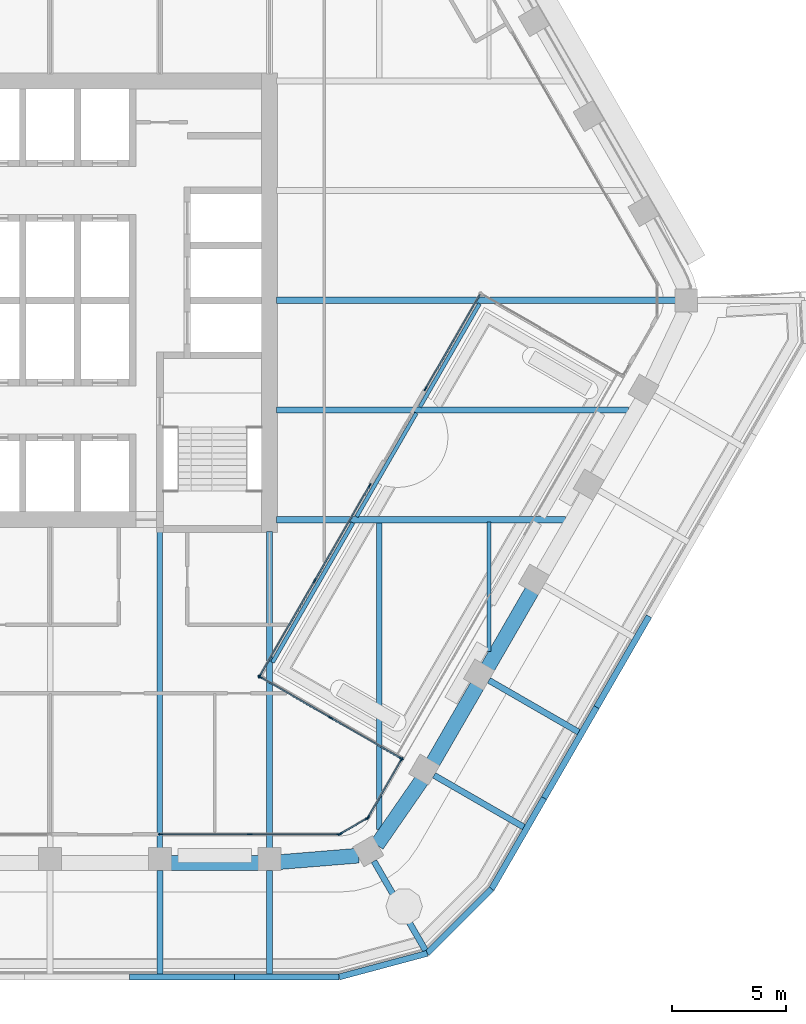
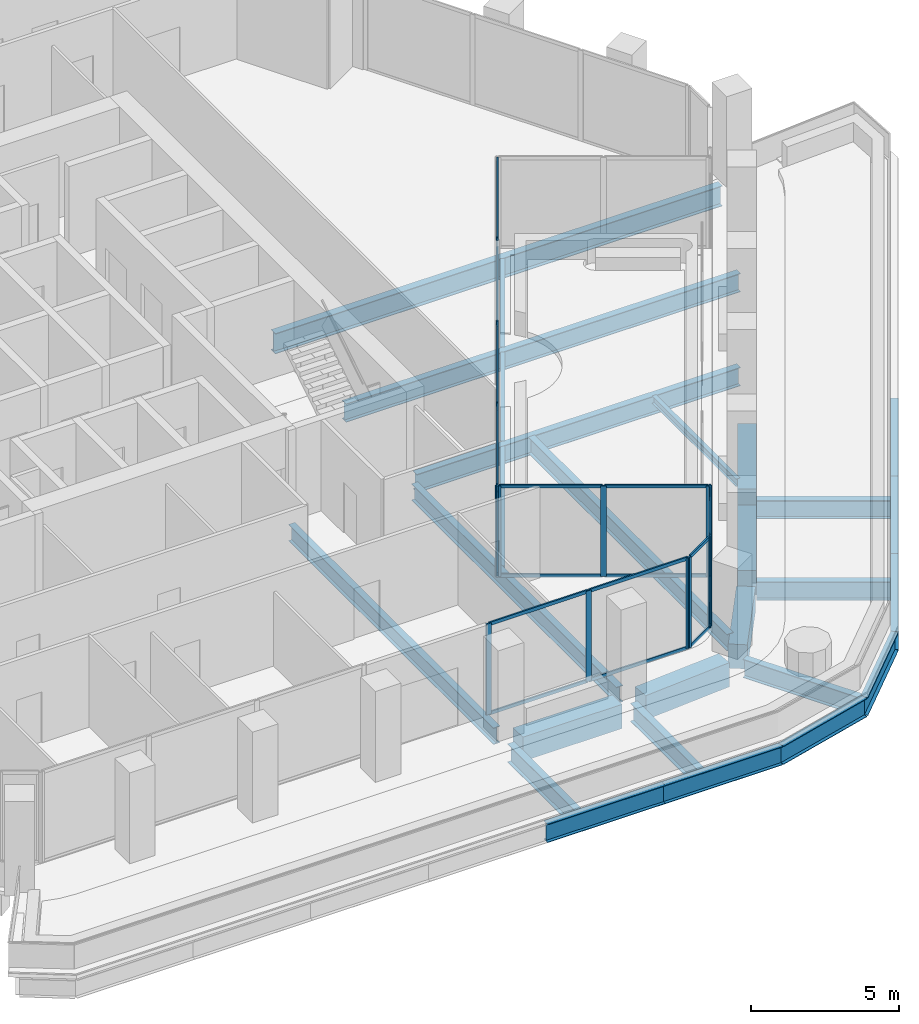
# One storey, part 4 of 17: 32 members, 27 beams, 6 elements without a shape of their own.
"""IFC4 building model written with IfcOpenShell, lengths in metres."""

from ifc_helpers import new_model, si_unit, direction, frame, origin, origin_2d, place, context, subcontext, project, spatial, rectangle, i_section, extrude, material, material_profile, profile_set, type_object, element, aggregate, save


model = new_model("IFC4")

# Units and contexts
model_context = context("Model", 3, precision=1e-05, world=origin(), true_north=direction((0.0, 1.0)))
body_context = subcontext(model_context, "Body", "Model", "MODEL_VIEW")
ifc_project = project(units=[si_unit("LENGTHUNIT", "METRE"), si_unit("AREAUNIT", "SQUARE_METRE"), si_unit("VOLUMEUNIT", "CUBIC_METRE"), si_unit("PLANEANGLEUNIT", "RADIAN"), si_unit("MASSUNIT", "GRAM", prefix="KILO")], contexts=[model_context])

# Site, building, storey
site_placement = place(None, origin())
site = spatial("IfcSite", under=ifc_project, at=site_placement, CompositionType="ELEMENT")
building_placement = place(site_placement, origin())
building = spatial("IfcBuilding", under=site, at=building_placement, Name="Kolab Exchange Tower", CompositionType="ELEMENT")
storey_placement = place(building_placement, frame((0.0, 0.0, 197.300048828125)))
storey = spatial("IfcBuildingStorey", under=building, at=storey_placement, Name="L42", CompositionType="ELEMENT", Elevation=197.300048828125)

# Beams
ifc_material_1 = material(Name="Steel S355", Category="steel")
ifc_material_profile_1 = material_profile(ifc_material_1, i_section(OverallWidth=0.1650390625, OverallDepth=0.31005859375, WebThickness=0.005859375, FlangeThickness=0.009765625, at=origin_2d()), Name="W310X39")
ifc_profile_set_1 = profile_set([ifc_material_profile_1], Name="Steel S355")
beam_type_1 = type_object("IfcBeamType", Name="FLOOR BEAM W310X39", PredefinedType="BEAM", material=ifc_profile_set_1)
beam_1_placement = place(storey_placement, frame((13.409912109375, -9.466552734375, -0.304931640625), z_axis=(0.500011808253, 0.866018586179, 0.0), x_axis=(-0.866018586179, 0.500011808253, 0.0)))
element("IfcBeam", 1, at=beam_1_placement, inside=storey, type_object=beam_type_1, Name="beam/L42/fr/023", PredefinedType="BEAM", context=body_context, shape_type="SweptSolid", body=[
    extrude(i_section(OverallWidth=0.1650390625, OverallDepth=0.31005859375, WebThickness=0.005859375, FlangeThickness=0.009765625, at=origin_2d()), origin(), (0.0, 0.0, 1.0), 5.234130859375),
])
beam_2_placement = place(storey_placement, frame((16.18115234375, -4.66650390625, -0.304931640625), z_axis=(0.499992367345, 0.866029810455, 0.0), x_axis=(-0.866029810455, 0.499992367345, 0.0)))
element("IfcBeam", 2, at=beam_2_placement, inside=storey, type_object=beam_type_1, Name="beam/L42/fr/024", PredefinedType="BEAM", context=body_context, shape_type="SweptSolid", body=[
    extrude(i_section(OverallWidth=0.1650390625, OverallDepth=0.31005859375, WebThickness=0.005859375, FlangeThickness=0.009765625, at=origin_2d()), origin(), (0.0, 0.0, 1.0), 5.2197265625),
])
beam_3_placement = place(storey_placement, frame((19.199951171875, -15.36767578125, -0.304931640625), z_axis=(0.0, 1.0, 0.0), x_axis=(-1.0, 0.0, 0.0)))
element("IfcBeam", 3, at=beam_3_placement, inside=storey, type_object=beam_type_1, Name="beam/L42/fr/025", PredefinedType="BEAM", context=body_context, shape_type="SweptSolid", body=[
    extrude(i_section(OverallWidth=0.1650390625, OverallDepth=0.31005859375, WebThickness=0.005859375, FlangeThickness=0.009765625, at=origin_2d()), origin(), (0.0, 0.0, 1.0), 5.674072265625),
])
ifc_material_profile_2 = material_profile(ifc_material_1, i_section(OverallWidth=0.1708984375, OverallDepth=0.35498046875, WebThickness=0.007080078125, FlangeThickness=0.01171875, at=origin_2d()), Name="W360X51")
ifc_profile_set_2 = profile_set([ifc_material_profile_2], Name="Steel S355")
beam_type_2 = type_object("IfcBeamType", Name="FLOOR BEAM W360X51", PredefinedType="BEAM", material=ifc_profile_set_2)
beam_4_placement = place(storey_placement, frame((9.72705078125, -15.845458984375, -0.32763671875), z_axis=(0.499974989216, 0.866039843286, 0.0), x_axis=(-0.866039843286, 0.499974989216, 0.0)))
element("IfcBeam", 4, at=beam_4_placement, inside=storey, type_object=beam_type_2, Name="beam/L42/fr/020", PredefinedType="BEAM", context=body_context, shape_type="SweptSolid", body=[
    extrude(i_section(OverallWidth=0.1708984375, OverallDepth=0.35498046875, WebThickness=0.007080078125, FlangeThickness=0.01171875, at=origin_2d()), origin(), (0.0, 0.0, 1.0), 7.057373046875),
])
ifc_material_profile_3 = material_profile(ifc_material_1, i_section(OverallWidth=0.25390625, OverallDepth=0.68408203125, WebThickness=0.012451171875, FlangeThickness=0.018798828125, at=origin_2d()), Name="W690X140")
ifc_profile_set_3 = profile_set([ifc_material_profile_3], Name="Steel S355")
beam_type_3 = type_object("IfcBeamType", Name="FLOOR BEAM W690X140", PredefinedType="BEAM", material=ifc_profile_set_3)
for number, where, z_axis, x_axis, name in (
    (5, (4.800048828125, -23.9814453125, -0.491943359375), (0.0, 1.0, 0.0), (-1.0, 0.0, 0.0), "beam/L42/fr/013"),
    (6, (9.60009765625, -23.9814453125, -0.491943359375), (0.0, 1.0, 0.0), (-1.0, 0.0, 0.0), "beam/L42/fr/015"),
):
    element("IfcBeam", number, at=place(storey_placement, frame(where, z_axis=z_axis, x_axis=x_axis)), inside=storey, type_object=beam_type_3, Name=name, PredefinedType="BEAM", context=body_context, shape_type="SweptSolid", body=[
        extrude(i_section(OverallWidth=0.25390625, OverallDepth=0.68408203125, WebThickness=0.012451171875, FlangeThickness=0.018798828125, at=origin_2d()), origin(), (0.0, 0.0, 1.0), 13.871337890625),
    ])
beam_5_placement = place(storey_placement, frame((14.39990234375, -23.15576171875, -0.491943359375), z_axis=(0.0, 1.0, 0.0), x_axis=(-1.0, 0.0, 0.0)))
element("IfcBeam", 7, at=beam_5_placement, inside=storey, type_object=beam_type_3, Name="beam/L42/fr/021", PredefinedType="BEAM", context=body_context, shape_type="SweptSolid", body=[
    extrude(i_section(OverallWidth=0.25390625, OverallDepth=0.68408203125, WebThickness=0.012451171875, FlangeThickness=0.018798828125, at=origin_2d()), origin(), (0.0, 0.0, 1.0), 13.462158203125),
])
ifc_material_profile_4 = material_profile(ifc_material_1, i_section(OverallWidth=0.26708984375, OverallDepth=0.761962890625, WebThickness=0.014404296875, FlangeThickness=0.021484375, at=origin_2d()), Name="W760X173")
ifc_profile_set_4 = profile_set([ifc_material_profile_4], Name="Steel S355")
beam_type_4 = type_object("IfcBeamType", Name="FLOOR BEAM W760X173", PredefinedType="BEAM", material=ifc_profile_set_4)
beam_6_placement = place(storey_placement, frame((9.909912109375, -4.800048828125, -0.531005859375), z_axis=(1.0, 0.0, 0.0), x_axis=(0.0, 1.0, 0.0)))
element("IfcBeam", 8, at=beam_6_placement, inside=storey, type_object=beam_type_4, Name="beam/L42/fr/017", PredefinedType="BEAM", context=body_context, shape_type="SweptSolid", body=[
    extrude(i_section(OverallWidth=0.26708984375, OverallDepth=0.761962890625, WebThickness=0.014404296875, FlangeThickness=0.021484375, at=origin_2d()), origin(), (0.0, 0.0, 1.0), 15.408203125),
])
ifc_material_profile_5 = material_profile(ifc_material_1, i_section(OverallWidth=0.2919921875, OverallDepth=0.840087890625, WebThickness=0.0146484375, FlangeThickness=0.021728515625, at=origin_2d()), Name="W840X193")
ifc_profile_set_5 = profile_set([ifc_material_profile_5], Name="Steel S355")
beam_type_5 = type_object("IfcBeamType", Name="FLOOR BEAM W840X193", PredefinedType="BEAM", material=ifc_profile_set_5)
beam_7_placement = place(storey_placement, frame((9.909912109375, 0.0, -0.570068359375), z_axis=(1.0, 0.0, 0.0), x_axis=(0.0, 1.0, 0.0)))
element("IfcBeam", 9, at=beam_7_placement, inside=storey, type_object=beam_type_5, Name="beam/L42/fr/018", PredefinedType="BEAM", context=body_context, shape_type="SweptSolid", body=[
    extrude(i_section(OverallWidth=0.2919921875, OverallDepth=0.840087890625, WebThickness=0.0146484375, FlangeThickness=0.021728515625, at=origin_2d()), origin(), (0.0, 0.0, 1.0), 17.466064453125),
])
ifc_material_profile_6 = material_profile(ifc_material_1, i_section(OverallWidth=0.26708984375, OverallDepth=0.761962890625, WebThickness=0.014404296875, FlangeThickness=0.021484375, at=origin_2d()), Name="W760X173")
ifc_profile_set_6 = profile_set([ifc_material_profile_6], Name="Steel S355")
beam_type_6 = type_object("IfcBeamType", Name="FLOOR GIRDER W760X173", PredefinedType="BEAM", material=ifc_profile_set_6)
beam_8_placement = place(storey_placement, frame((9.909912109375, -9.60009765625, -0.531005859375), z_axis=(1.0, 0.0, 0.0), x_axis=(0.0, 1.0, 0.0)))
element("IfcBeam", 10, at=beam_8_placement, inside=storey, type_object=beam_type_6, Name="beam/L42/gd/002", PredefinedType="BEAM", context=body_context, shape_type="SweptSolid", body=[
    extrude(i_section(OverallWidth=0.26708984375, OverallDepth=0.761962890625, WebThickness=0.014404296875, FlangeThickness=0.021484375, at=origin_2d()), origin(), (0.0, 0.0, 1.0), 12.636962890625),
])
beam_9_placement = place(storey_placement, frame((19.199951171875, -16.627685546875, -0.591064453125), z_axis=(0.866020560687, -0.500008388397, 0.0), x_axis=(0.500008388397, 0.866020560687, 0.0)))
element("IfcBeam", 11, at=beam_9_placement, inside=storey, type_object=beam_type_6, Name="beam/L42/ledge/rib-04", PredefinedType="BEAM", context=body_context, shape_type="SweptSolid", body=[
    extrude(i_section(OverallWidth=0.26708984375, OverallDepth=0.761962890625, WebThickness=0.014404296875, FlangeThickness=0.021484375, at=origin_2d()), origin(), (0.0, 0.0, 1.0), 4.533203125),
])
beam_10_placement = place(storey_placement, frame((16.800048828125, -20.78466796875, -0.591064453125), z_axis=(0.866030417568, -0.499991315771, 0.0), x_axis=(0.499991315771, 0.866030417568, 0.0)))
element("IfcBeam", 12, at=beam_10_placement, inside=storey, type_object=beam_type_6, Name="beam/L42/ledge/rib-05", PredefinedType="BEAM", context=body_context, shape_type="SweptSolid", body=[
    extrude(i_section(OverallWidth=0.26708984375, OverallDepth=0.761962890625, WebThickness=0.014404296875, FlangeThickness=0.021484375, at=origin_2d()), origin(), (0.0, 0.0, 1.0), 4.53271484375),
])
beam_11_placement = place(storey_placement, frame((14.16796875, -24.53955078125, -0.591064453125), z_axis=(0.499967994467, -0.866043881399, 0.0), x_axis=(0.866043881399, 0.499967994467, 0.0)))
element("IfcBeam", 13, at=beam_11_placement, inside=storey, type_object=beam_type_6, Name="beam/L42/ledge/rib-06", PredefinedType="BEAM", context=body_context, shape_type="SweptSolid", body=[
    extrude(i_section(OverallWidth=0.26708984375, OverallDepth=0.761962890625, WebThickness=0.014404296875, FlangeThickness=0.021484375, at=origin_2d()), origin(), (0.0, 0.0, 1.0), 4.532958984375),
])
for number, where, z_axis, x_axis, name in (
    (14, (9.60009765625, -24.94140625, -0.591064453125), (0.0, -1.0, 0.0), (1.0, 0.0, 0.0), "beam/L42/ledge/rib-07"),
    (15, (4.800048828125, -24.94140625, -0.591064453125), (0.0, -1.0, 0.0), (1.0, 0.0, 0.0), "beam/L42/ledge/rib-08"),
):
    element("IfcBeam", number, at=place(storey_placement, frame(where, z_axis=z_axis, x_axis=x_axis)), inside=storey, type_object=beam_type_6, Name=name, PredefinedType="BEAM", context=body_context, shape_type="SweptSolid", body=[
        extrude(i_section(OverallWidth=0.26708984375, OverallDepth=0.761962890625, WebThickness=0.014404296875, FlangeThickness=0.021484375, at=origin_2d()), origin(), (0.0, 0.0, 1.0), 4.533203125),
    ])
beam_12_placement = place(storey_placement, frame((26.20654296875, -13.82470703125, -0.591064453125), z_axis=(-0.499963222339, -0.866046636336, 0.0), x_axis=(0.866046636336, -0.499963222339, 0.0)))
element("IfcBeam", 16, at=beam_12_placement, inside=storey, type_object=beam_type_6, Name="beam/L42/ledge/edge-04", PredefinedType="BEAM", context=body_context, shape_type="SweptSolid", body=[
    extrude(i_section(OverallWidth=0.26708984375, OverallDepth=0.761962890625, WebThickness=0.014404296875, FlangeThickness=0.021484375, at=origin_2d()), origin(), (0.0, 0.0, 1.0), 4.593505859375),
])
beam_13_placement = place(storey_placement, frame((23.909912109375, -17.802978515625, -0.591064453125), z_axis=(-0.50004294189, -0.866000609853, 0.0), x_axis=(0.866000609853, -0.50004294189, 0.0)))
element("IfcBeam", 17, at=beam_13_placement, inside=storey, type_object=beam_type_6, Name="beam/L42/ledge/edge-05", PredefinedType="BEAM", context=body_context, shape_type="SweptSolid", body=[
    extrude(i_section(OverallWidth=0.26708984375, OverallDepth=0.761962890625, WebThickness=0.014404296875, FlangeThickness=0.021484375, at=origin_2d()), origin(), (0.0, 0.0, 1.0), 4.59375),
])
beam_14_placement = place(storey_placement, frame((21.61279296875, -21.78125, -0.591064453125), z_axis=(-0.499963222339, -0.866046636336, 0.0), x_axis=(0.866046636336, -0.499963222339, 0.0)))
element("IfcBeam", 18, at=beam_14_placement, inside=storey, type_object=beam_type_6, Name="beam/L42/ledge/edge-06", PredefinedType="BEAM", context=body_context, shape_type="SweptSolid", body=[
    extrude(i_section(OverallWidth=0.26708984375, OverallDepth=0.761962890625, WebThickness=0.014404296875, FlangeThickness=0.021484375, at=origin_2d()), origin(), (0.0, 0.0, 1.0), 4.593505859375),
])
beam_15_placement = place(storey_placement, frame((19.316162109375, -25.759521484375, -0.591064453125), z_axis=(-0.707106781187, -0.707106781187, 0.0), x_axis=(0.707106781187, -0.707106781187, 0.0)))
element("IfcBeam", 19, at=beam_15_placement, inside=storey, type_object=beam_type_6, Name="beam/L42/ledge/edge-07", PredefinedType="BEAM", context=body_context, shape_type="SweptSolid", body=[
    extrude(i_section(OverallWidth=0.26708984375, OverallDepth=0.761962890625, WebThickness=0.014404296875, FlangeThickness=0.021484375, at=origin_2d()), origin(), (0.0, 0.0, 1.0), 3.984375),
])
beam_16_placement = place(storey_placement, frame((16.498779296875, -28.576904296875, -0.591064453125), z_axis=(-0.965936290682, -0.258779988299, 0.0), x_axis=(0.258779988299, -0.965936290682, 0.0)))
element("IfcBeam", 20, at=beam_16_placement, inside=storey, type_object=beam_type_6, Name="beam/L42/ledge/edge-08", PredefinedType="BEAM", context=body_context, shape_type="SweptSolid", body=[
    extrude(i_section(OverallWidth=0.26708984375, OverallDepth=0.761962890625, WebThickness=0.014404296875, FlangeThickness=0.021484375, at=origin_2d()), origin(), (0.0, 0.0, 1.0), 3.984130859375),
])
for number, where, z_axis, x_axis, name in (
    (21, (12.650390625, -29.60791015625, -0.591064453125), (-1.0, 0.0, 0.0), (0.0, -1.0, 0.0), "beam/L42/ledge/edge-09"),
    (22, (8.056640625, -29.60791015625, -0.591064453125), (-1.0, 0.0, 0.0), (0.0, -1.0, 0.0), "beam/L42/ledge/edge-10"),
):
    element("IfcBeam", number, at=place(storey_placement, frame(where, z_axis=z_axis, x_axis=x_axis)), inside=storey, type_object=beam_type_6, Name=name, PredefinedType="BEAM", context=body_context, shape_type="SweptSolid", body=[
        extrude(i_section(OverallWidth=0.26708984375, OverallDepth=0.761962890625, WebThickness=0.014404296875, FlangeThickness=0.021484375, at=origin_2d()), origin(), (0.0, 0.0, 1.0), 4.59375),
    ])
ifc_material_2 = material(Name="Concrete C60/75", Category="concrete")
ifc_material_profile_7 = material_profile(ifc_material_2, rectangle(XDim=0.64990234375, YDim=1.0, at=origin_2d()), Name="RC650X1000")
ifc_profile_set_7 = profile_set([ifc_material_profile_7], Name="Concrete C60/75")
beam_type_7 = type_object("IfcBeamType", Name="SPANDREL BEAM 650X1000 C60/75", PredefinedType="BEAM", material=ifc_profile_set_7)
beam_17_placement = place(storey_placement, frame((21.088623046875, -12.70654296875, -0.650146484375), z_axis=(-0.50001655835, -0.866015843605, 0.0), x_axis=(0.866015843605, -0.50001655835, 0.0)))
element("IfcBeam", 23, at=beam_17_placement, inside=storey, type_object=beam_type_7, Name="beam/L42/sp/F3-04", PredefinedType="BEAM", context=body_context, shape_type="SweptSolid", body=[
    extrude(rectangle(XDim=0.64990234375, YDim=1.0, at=origin_2d()), origin(), (0.0, 0.0, 1.0), 3.880126953125),
])
beam_18_placement = place(storey_placement, frame((18.6884765625, -16.863525390625, -0.650146484375), z_axis=(-0.499996613652, -0.866027358884, 0.0), x_axis=(0.866027358884, -0.499996613652, 0.0)))
element("IfcBeam", 24, at=beam_18_placement, inside=storey, type_object=beam_type_7, Name="beam/L42/sp/F3-05", PredefinedType="BEAM", context=body_context, shape_type="SweptSolid", body=[
    extrude(rectangle(XDim=0.64990234375, YDim=1.0, at=origin_2d()), origin(), (0.0, 0.0, 1.0), 3.8798828125),
])
for number, where, z_axis, x_axis, name in (
    (25, (16.256103515625, -21.001953125, -0.650146484375), (-0.568572281073, -0.822633309073, 0.0), (0.822633309073, -0.568572281073, 0.0), "beam/L42/sp/F3-06"),
    (26, (13.493896484375, -24.2998046875, -0.650146484375), (-0.996708497182, -0.081068931445, 0.0), (0.081068931445, -0.996708497182, 0.0), "beam/L42/sp/F4-01"),
):
    element("IfcBeam", number, at=place(storey_placement, frame(where, z_axis=z_axis, x_axis=x_axis)), inside=storey, type_object=beam_type_7, Name=name, PredefinedType="BEAM", context=body_context, shape_type="SweptSolid", body=[
        extrude(rectangle(XDim=0.64990234375, YDim=1.0, at=origin_2d()), origin(), (0.0, 0.0, 1.0), 3.445068359375),
    ])
beam_19_placement = place(storey_placement, frame((9.139892578125, -24.616455078125, -0.650146484375), z_axis=(-1.0, 0.0, 0.0), x_axis=(0.0, -1.0, 0.0)))
element("IfcBeam", 27, at=beam_19_placement, inside=storey, type_object=beam_type_7, Name="beam/L42/sp/F4-02", PredefinedType="BEAM", context=body_context, shape_type="SweptSolid", body=[
    extrude(rectangle(XDim=0.64990234375, YDim=1.0, at=origin_2d()), origin(), (0.0, 0.0, 1.0), 3.8798828125),
])

# Curtain wall, member
ifc_material_3 = material(Name="Aluminium EN AW-6063 T6", Category="aluminium")
curtain_wall_type = type_object("IfcCurtainWallType", Name="UNITISED UPPER MID ZONE CURTAIN WALL", PredefinedType="NOTDEFINED", material=ifc_material_3)
curtain_wall_1_placement = place(storey_placement, origin())
curtain_wall_1 = element("IfcCurtainWall", 28, at=curtain_wall_1_placement, inside=storey, type_object=curtain_wall_type, Name="cw/L42/F3-back-1", PredefinedType="NOTDEFINED")
ifc_material_profile_8 = material_profile(ifc_material_3, rectangle(XDim=0.06005859375, YDim=0.199951171875, at=origin_2d()), Name="RECT 60X200")
ifc_profile_set_8 = profile_set([ifc_material_profile_8], Name="Aluminium EN AW-6063 T6")
member_type_1 = type_object("IfcMemberType", Name="UNITISED UPPER MID ZONE MULLION 60 X 200", PredefinedType="MULLION", material=ifc_profile_set_8)
member_1_placement = place(storey_placement, frame((16.431396484375, -3.86328125, 0.0), z_axis=(0.0, 0.0, 1.0), x_axis=(0.866025406141, -0.499999995919, 0.0)))
member_1 = element("IfcMember", 29, at=member_1_placement, type_object=member_type_1, Name="CW3 mullion 2", PredefinedType="MULLION", context=body_context, shape_type="SweptSolid", body=[
    extrude(rectangle(XDim=0.06005859375, YDim=0.199951171875, at=origin_2d()), origin(), (0.0, 0.0, 1.0), 3.75),
])

# Curtain wall, members
curtain_wall_2_placement = place(storey_placement, origin())
curtain_wall_2 = element("IfcCurtainWall", 30, at=curtain_wall_2_placement, inside=storey, type_object=curtain_wall_type, Name="cw/L42/F3-back-2", PredefinedType="NOTDEFINED")
member_2_placement = place(storey_placement, frame((13.981201171875, -8.106689453125, 0.0), z_axis=(0.0, 0.0, 1.0), x_axis=(0.866025406141, -0.499999995919, 0.0)))
member_2 = element("IfcMember", 31, at=member_2_placement, type_object=member_type_1, Name="CW3 mullion 1", PredefinedType="MULLION", context=body_context, shape_type="SweptSolid", body=[
    extrude(rectangle(XDim=0.06005859375, YDim=0.199951171875, at=origin_2d()), origin(), (0.0, 0.0, 1.0), 3.75),
])
member_3_placement = place(storey_placement, frame((11.576416015625, -12.272216796875, 0.0), z_axis=(0.0, 0.0, 1.0), x_axis=(0.866025406141, -0.499999995919, 0.0)))
member_3 = element("IfcMember", 32, at=member_3_placement, type_object=member_type_1, Name="CW3 mullion 2", PredefinedType="MULLION", context=body_context, shape_type="SweptSolid", body=[
    extrude(rectangle(XDim=0.06005859375, YDim=0.199951171875, at=origin_2d()), origin(), (0.0, 0.0, 1.0), 3.75),
])
member_4_placement = place(storey_placement, frame((9.17138671875, -16.43798828125, 0.0), z_axis=(0.0, 0.0, 1.0), x_axis=(0.866025406141, -0.499999995919, 0.0)))
member_4 = element("IfcMember", 33, at=member_4_placement, type_object=member_type_1, Name="CW3 mullion 3", PredefinedType="MULLION", context=body_context, shape_type="SweptSolid", body=[
    extrude(rectangle(XDim=0.06005859375, YDim=0.199951171875, at=origin_2d()), origin(), (0.0, 0.0, 1.0), 3.75),
])

curtain_wall_3_placement = place(storey_placement, origin())
curtain_wall_3 = element("IfcCurtainWall", 34, at=curtain_wall_3_placement, inside=storey, type_object=curtain_wall_type, Name="cw/L42/F3-rr-1", PredefinedType="NOTDEFINED")
member_5_placement = place(storey_placement, frame((9.182373046875, -16.47900390625, 0.0), z_axis=(0.0, 0.0, 1.0), x_axis=(0.499999994423, 0.866025407005, 0.0)))
member_5 = element("IfcMember", 35, at=member_5_placement, type_object=member_type_1, Name="CW3 mullion 1", PredefinedType="MULLION", context=body_context, shape_type="SweptSolid", body=[
    extrude(rectangle(XDim=0.06005859375, YDim=0.199951171875, at=origin_2d()), origin(), (0.0, 0.0, 1.0), 3.75),
])
member_6_placement = place(storey_placement, frame((12.27392578125, -18.263916015625, 0.0), z_axis=(0.0, 0.0, 1.0), x_axis=(0.499999994423, 0.866025407005, 0.0)))
member_6 = element("IfcMember", 36, at=member_6_placement, type_object=member_type_1, Name="CW3 mullion 2", PredefinedType="MULLION", context=body_context, shape_type="SweptSolid", body=[
    extrude(rectangle(XDim=0.06005859375, YDim=0.199951171875, at=origin_2d()), origin(), (0.0, 0.0, 1.0), 3.75),
])
member_7_placement = place(storey_placement, frame((15.36572265625, -20.048828125, 0.0), z_axis=(0.0, 0.0, 1.0), x_axis=(0.499999994423, 0.866025407005, 0.0)))
member_7 = element("IfcMember", 37, at=member_7_placement, type_object=member_type_1, Name="CW3 mullion 3", PredefinedType="MULLION", context=body_context, shape_type="SweptSolid", body=[
    extrude(rectangle(XDim=0.06005859375, YDim=0.199951171875, at=origin_2d()), origin(), (0.0, 0.0, 1.0), 3.75),
])

curtain_wall_4_placement = place(storey_placement, origin())
curtain_wall_4 = element("IfcCurtainWall", 38, at=curtain_wall_4_placement, inside=storey, type_object=curtain_wall_type, Name="cw/L42/F3-r-1", PredefinedType="NOTDEFINED")
member_8_placement = place(storey_placement, frame((15.376708984375, -20.08984375, 0.0), z_axis=(0.0, 0.0, 1.0), x_axis=(0.866025353144, -0.500000087712, 0.0)))
member_8 = element("IfcMember", 39, at=member_8_placement, type_object=member_type_1, Name="CW3 mullion 1", PredefinedType="MULLION", context=body_context, shape_type="SweptSolid", body=[
    extrude(rectangle(XDim=0.06005859375, YDim=0.199951171875, at=origin_2d()), origin(), (0.0, 0.0, 1.0), 3.75),
])
member_9_placement = place(storey_placement, frame((13.91259765625, -22.62548828125, 0.0), z_axis=(0.0, 0.0, 1.0), x_axis=(0.866025353144, -0.500000087712, 0.0)))
member_9 = element("IfcMember", 40, at=member_9_placement, type_object=member_type_1, Name="CW3 mullion 2", PredefinedType="MULLION", context=body_context, shape_type="SweptSolid", body=[
    extrude(rectangle(XDim=0.06005859375, YDim=0.199951171875, at=origin_2d()), origin(), (0.0, 0.0, 1.0), 3.75),
])

curtain_wall_5_placement = place(storey_placement, origin())
curtain_wall_5 = element("IfcCurtainWall", 41, at=curtain_wall_5_placement, inside=storey, type_object=curtain_wall_type, Name="cw/L42/F4-1", PredefinedType="NOTDEFINED")
member_10_placement = place(storey_placement, frame((12.637939453125, -23.361572265625, 0.0), z_axis=(0.0, 0.0, 1.0), x_axis=(0.0, -1.0, 0.0)))
member_10 = element("IfcMember", 42, at=member_10_placement, type_object=member_type_1, Name="CW3 mullion 1", PredefinedType="MULLION", context=body_context, shape_type="SweptSolid", body=[
    extrude(rectangle(XDim=0.06005859375, YDim=0.199951171875, at=origin_2d()), origin(), (0.0, 0.0, 1.0), 3.75),
])
member_11_placement = place(storey_placement, frame((8.73388671875, -23.361572265625, 0.0), z_axis=(0.0, 0.0, 1.0), x_axis=(0.0, -1.0, 0.0)))
member_11 = element("IfcMember", 43, at=member_11_placement, type_object=member_type_1, Name="CW3 mullion 2", PredefinedType="MULLION", context=body_context, shape_type="SweptSolid", body=[
    extrude(rectangle(XDim=0.06005859375, YDim=0.199951171875, at=origin_2d()), origin(), (0.0, 0.0, 1.0), 3.75),
])
member_12_placement = place(storey_placement, frame((4.830078125, -23.361572265625, 0.0), z_axis=(0.0, 0.0, 1.0), x_axis=(0.0, -1.0, 0.0)))
member_12 = element("IfcMember", 44, at=member_12_placement, type_object=member_type_1, Name="CW3 mullion 3", PredefinedType="MULLION", context=body_context, shape_type="SweptSolid", body=[
    extrude(rectangle(XDim=0.06005859375, YDim=0.199951171875, at=origin_2d()), origin(), (0.0, 0.0, 1.0), 3.75),
])

curtain_wall_6_placement = place(storey_placement, origin())
curtain_wall_6 = element("IfcCurtainWall", 45, at=curtain_wall_6_placement, inside=storey, type_object=curtain_wall_type, Name="cw/L42/F3F4-corner", PredefinedType="NOTDEFINED")
member_13_placement = place(storey_placement, frame((13.871826171875, -22.66650390625, 0.0), z_axis=(0.0, 0.0, 1.0), x_axis=(0.50000002237, -0.866025390869, 0.0)))
member_13 = element("IfcMember", 46, at=member_13_placement, type_object=member_type_1, Name="CW3 mullion 1", PredefinedType="MULLION", context=body_context, shape_type="SweptSolid", body=[
    extrude(rectangle(XDim=0.06005859375, YDim=0.199951171875, at=origin_2d()), origin(), (0.0, 0.0, 1.0), 3.75),
])
member_14_placement = place(storey_placement, frame((12.69384765625, -23.346435546875, 0.0), z_axis=(0.0, 0.0, 1.0), x_axis=(0.50000002237, -0.866025390869, 0.0)))
member_14 = element("IfcMember", 47, at=member_14_placement, type_object=member_type_1, Name="CW3 mullion 2", PredefinedType="MULLION", context=body_context, shape_type="SweptSolid", body=[
    extrude(rectangle(XDim=0.06005859375, YDim=0.199951171875, at=origin_2d()), origin(), (0.0, 0.0, 1.0), 3.75),
])

# Member
ifc_material_profile_9 = material_profile(ifc_material_3, rectangle(XDim=0.06005859375, YDim=0.139892578125, at=origin_2d()), Name="RECT 60X140")
ifc_profile_set_9 = profile_set([ifc_material_profile_9], Name="Aluminium EN AW-6063 T6")
member_type_2 = type_object("IfcMemberType", Name="UNITISED UPPER MID ZONE TRANSOM 60 X 140", PredefinedType="USERDEFINED", material=ifc_profile_set_9)
member_15_placement = place(storey_placement, frame((18.806396484375, 0.25048828125, 0.030029296875), z_axis=(-0.500016465344, -0.866015897305, 0.0), x_axis=(0.866015897305, -0.500016465344, 0.0)))
member_15 = element("IfcMember", 48, at=member_15_placement, type_object=member_type_2, Name="CW3 transom 1.1", ObjectType="TRANSOM", PredefinedType="USERDEFINED", context=body_context, shape_type="SweptSolid", body=[
    extrude(rectangle(XDim=0.06005859375, YDim=0.139892578125, at=origin_2d()), origin(), (0.0, 0.0, 1.0), 4.719970703125),
])

member_16_placement = place(storey_placement, frame((18.806396484375, 0.25048828125, 3.719970703125), z_axis=(-0.500016465344, -0.866015897305, 0.0), x_axis=(0.866015897305, -0.500016465344, 0.0)))
member_16 = element("IfcMember", 49, at=member_16_placement, type_object=member_type_2, Name="CW3 transom 1.2", ObjectType="TRANSOM", PredefinedType="USERDEFINED", context=body_context, shape_type="SweptSolid", body=[
    extrude(rectangle(XDim=0.06005859375, YDim=0.139892578125, at=origin_2d()), origin(), (0.0, 0.0, 1.0), 4.719970703125),
])

aggregate(curtain_wall_1, [member_1, member_15, member_16])

member_17_placement = place(storey_placement, frame((13.96630859375, -8.1328125, 0.030029296875), z_axis=(-0.500008685663, -0.866020389056, 0.0), x_axis=(0.866020389056, -0.500008685663, 0.0)))
member_17 = element("IfcMember", 50, at=member_17_placement, type_object=member_type_2, Name="CW3 transom 1.1", ObjectType="TRANSOM", PredefinedType="USERDEFINED", context=body_context, shape_type="SweptSolid", body=[
    extrude(rectangle(XDim=0.06005859375, YDim=0.139892578125, at=origin_2d()), origin(), (0.0, 0.0, 1.0), 4.75),
])

member_18_placement = place(storey_placement, frame((13.96630859375, -8.1328125, 3.719970703125), z_axis=(-0.500008685663, -0.866020389056, 0.0), x_axis=(0.866020389056, -0.500008685663, 0.0)))
member_18 = element("IfcMember", 51, at=member_18_placement, type_object=member_type_2, Name="CW3 transom 1.2", ObjectType="TRANSOM", PredefinedType="USERDEFINED", context=body_context, shape_type="SweptSolid", body=[
    extrude(rectangle(XDim=0.06005859375, YDim=0.139892578125, at=origin_2d()), origin(), (0.0, 0.0, 1.0), 4.75),
])

member_19_placement = place(storey_placement, frame((11.561279296875, -12.29833984375, 0.030029296875), z_axis=(-0.500008685663, -0.866020389056, 0.0), x_axis=(0.866020389056, -0.500008685663, 0.0)))
member_19 = element("IfcMember", 52, at=member_19_placement, type_object=member_type_2, Name="CW3 transom 2.1", ObjectType="TRANSOM", PredefinedType="USERDEFINED", context=body_context, shape_type="SweptSolid", body=[
    extrude(rectangle(XDim=0.06005859375, YDim=0.139892578125, at=origin_2d()), origin(), (0.0, 0.0, 1.0), 4.75),
])

member_20_placement = place(storey_placement, frame((11.561279296875, -12.29833984375, 3.719970703125), z_axis=(-0.500008685663, -0.866020389056, 0.0), x_axis=(0.866020389056, -0.500008685663, 0.0)))
member_20 = element("IfcMember", 53, at=member_20_placement, type_object=member_type_2, Name="CW3 transom 2.2", ObjectType="TRANSOM", PredefinedType="USERDEFINED", context=body_context, shape_type="SweptSolid", body=[
    extrude(rectangle(XDim=0.06005859375, YDim=0.139892578125, at=origin_2d()), origin(), (0.0, 0.0, 1.0), 4.75),
])

aggregate(curtain_wall_2, [member_2, member_3, member_4, member_17, member_18, member_19, member_20])

member_21_placement = place(storey_placement, frame((9.208251953125, -16.493896484375, 0.030029296875), z_axis=(0.866043119098, -0.499969314921, 0.0), x_axis=(0.499969314921, 0.866043119098, 0.0)))
member_21 = element("IfcMember", 54, at=member_21_placement, type_object=member_type_2, Name="CW3 transom 1.1", ObjectType="TRANSOM", PredefinedType="USERDEFINED", context=body_context, shape_type="SweptSolid", body=[
    extrude(rectangle(XDim=0.06005859375, YDim=0.139892578125, at=origin_2d()), origin(), (0.0, 0.0, 1.0), 3.510009765625),
])

member_22_placement = place(storey_placement, frame((9.208251953125, -16.493896484375, 3.719970703125), z_axis=(0.866043119098, -0.499969314921, 0.0), x_axis=(0.499969314921, 0.866043119098, 0.0)))
member_22 = element("IfcMember", 55, at=member_22_placement, type_object=member_type_2, Name="CW3 transom 1.2", ObjectType="TRANSOM", PredefinedType="USERDEFINED", context=body_context, shape_type="SweptSolid", body=[
    extrude(rectangle(XDim=0.06005859375, YDim=0.139892578125, at=origin_2d()), origin(), (0.0, 0.0, 1.0), 3.510009765625),
])

member_23_placement = place(storey_placement, frame((12.300048828125, -18.27880859375, 0.030029296875), z_axis=(0.86599560964, -0.500051601422, 0.0), x_axis=(0.500051601422, 0.86599560964, 0.0)))
member_23 = element("IfcMember", 56, at=member_23_placement, type_object=member_type_2, Name="CW3 transom 2.1", ObjectType="TRANSOM", PredefinedType="USERDEFINED", context=body_context, shape_type="SweptSolid", body=[
    extrude(rectangle(XDim=0.06005859375, YDim=0.139892578125, at=origin_2d()), origin(), (0.0, 0.0, 1.0), 3.510009765625),
])

member_24_placement = place(storey_placement, frame((12.300048828125, -18.27880859375, 3.719970703125), z_axis=(0.86599560964, -0.500051601422, 0.0), x_axis=(0.500051601422, 0.86599560964, 0.0)))
member_24 = element("IfcMember", 57, at=member_24_placement, type_object=member_type_2, Name="CW3 transom 2.2", ObjectType="TRANSOM", PredefinedType="USERDEFINED", context=body_context, shape_type="SweptSolid", body=[
    extrude(rectangle(XDim=0.06005859375, YDim=0.139892578125, at=origin_2d()), origin(), (0.0, 0.0, 1.0), 3.510009765625),
])

aggregate(curtain_wall_3, [member_5, member_6, member_7, member_21, member_22, member_23, member_24])

member_25_placement = place(storey_placement, frame((15.361572265625, -20.115966796875, 0.030029296875), z_axis=(-0.499975463599, -0.866039569419, 0.0), x_axis=(0.866039569419, -0.499975463599, 0.0)))
member_25 = element("IfcMember", 58, at=member_25_placement, type_object=member_type_2, Name="CW3 transom 1.1", ObjectType="TRANSOM", PredefinedType="USERDEFINED", context=body_context, shape_type="SweptSolid", body=[
    extrude(rectangle(XDim=0.06005859375, YDim=0.139892578125, at=origin_2d()), origin(), (0.0, 0.0, 1.0), 2.867919921875),
])

member_26_placement = place(storey_placement, frame((15.361572265625, -20.115966796875, 3.719970703125), z_axis=(-0.499975463599, -0.866039569419, 0.0), x_axis=(0.866039569419, -0.499975463599, 0.0)))
member_26 = element("IfcMember", 59, at=member_26_placement, type_object=member_type_2, Name="CW3 transom 1.2", ObjectType="TRANSOM", PredefinedType="USERDEFINED", context=body_context, shape_type="SweptSolid", body=[
    extrude(rectangle(XDim=0.06005859375, YDim=0.139892578125, at=origin_2d()), origin(), (0.0, 0.0, 1.0), 2.867919921875),
])

aggregate(curtain_wall_4, [member_8, member_9, member_25, member_26])

member_27_placement = place(storey_placement, frame((12.60791015625, -23.361572265625, 0.030029296875), z_axis=(-1.0, 0.0, 0.0), x_axis=(0.0, -1.0, 0.0)))
member_27 = element("IfcMember", 60, at=member_27_placement, type_object=member_type_2, Name="CW3 transom 1.1", ObjectType="TRANSOM", PredefinedType="USERDEFINED", context=body_context, shape_type="SweptSolid", body=[
    extrude(rectangle(XDim=0.06005859375, YDim=0.139892578125, at=origin_2d()), origin(), (0.0, 0.0, 1.0), 3.843994140625),
])

member_28_placement = place(storey_placement, frame((12.60791015625, -23.361572265625, 3.719970703125), z_axis=(-1.0, 0.0, 0.0), x_axis=(0.0, -1.0, 0.0)))
member_28 = element("IfcMember", 61, at=member_28_placement, type_object=member_type_2, Name="CW3 transom 1.2", ObjectType="TRANSOM", PredefinedType="USERDEFINED", context=body_context, shape_type="SweptSolid", body=[
    extrude(rectangle(XDim=0.06005859375, YDim=0.139892578125, at=origin_2d()), origin(), (0.0, 0.0, 1.0), 3.843994140625),
])

member_29_placement = place(storey_placement, frame((8.703857421875, -23.361572265625, 0.030029296875), z_axis=(-1.0, 0.0, 0.0), x_axis=(0.0, -1.0, 0.0)))
member_29 = element("IfcMember", 62, at=member_29_placement, type_object=member_type_2, Name="CW3 transom 2.1", ObjectType="TRANSOM", PredefinedType="USERDEFINED", context=body_context, shape_type="SweptSolid", body=[
    extrude(rectangle(XDim=0.06005859375, YDim=0.139892578125, at=origin_2d()), origin(), (0.0, 0.0, 1.0), 3.84375),
])

member_30_placement = place(storey_placement, frame((8.703857421875, -23.361572265625, 3.719970703125), z_axis=(-1.0, 0.0, 0.0), x_axis=(0.0, -1.0, 0.0)))
member_30 = element("IfcMember", 63, at=member_30_placement, type_object=member_type_2, Name="CW3 transom 2.2", ObjectType="TRANSOM", PredefinedType="USERDEFINED", context=body_context, shape_type="SweptSolid", body=[
    extrude(rectangle(XDim=0.06005859375, YDim=0.139892578125, at=origin_2d()), origin(), (0.0, 0.0, 1.0), 3.84375),
])

aggregate(curtain_wall_5, [member_10, member_11, member_12, member_27, member_28, member_29, member_30])

member_31_placement = place(storey_placement, frame((13.845703125, -22.681640625, 0.030029296875), z_axis=(-0.86603858612, -0.49997716683, 0.0), x_axis=(0.49997716683, -0.86603858612, 0.0)))
member_31 = element("IfcMember", 64, at=member_31_placement, type_object=member_type_2, Name="CW3 transom 1.1", ObjectType="TRANSOM", PredefinedType="USERDEFINED", context=body_context, shape_type="SweptSolid", body=[
    extrude(rectangle(XDim=0.06005859375, YDim=0.139892578125, at=origin_2d()), origin(), (0.0, 0.0, 1.0), 1.2998046875),
])

member_32_placement = place(storey_placement, frame((13.845703125, -22.681640625, 3.719970703125), z_axis=(-0.86603858612, -0.49997716683, 0.0), x_axis=(0.49997716683, -0.86603858612, 0.0)))
member_32 = element("IfcMember", 65, at=member_32_placement, type_object=member_type_2, Name="CW3 transom 1.2", ObjectType="TRANSOM", PredefinedType="USERDEFINED", context=body_context, shape_type="SweptSolid", body=[
    extrude(rectangle(XDim=0.06005859375, YDim=0.139892578125, at=origin_2d()), origin(), (0.0, 0.0, 1.0), 1.2998046875),
])

aggregate(curtain_wall_6, [member_13, member_14, member_31, member_32])

save(model, "model.ifc")
